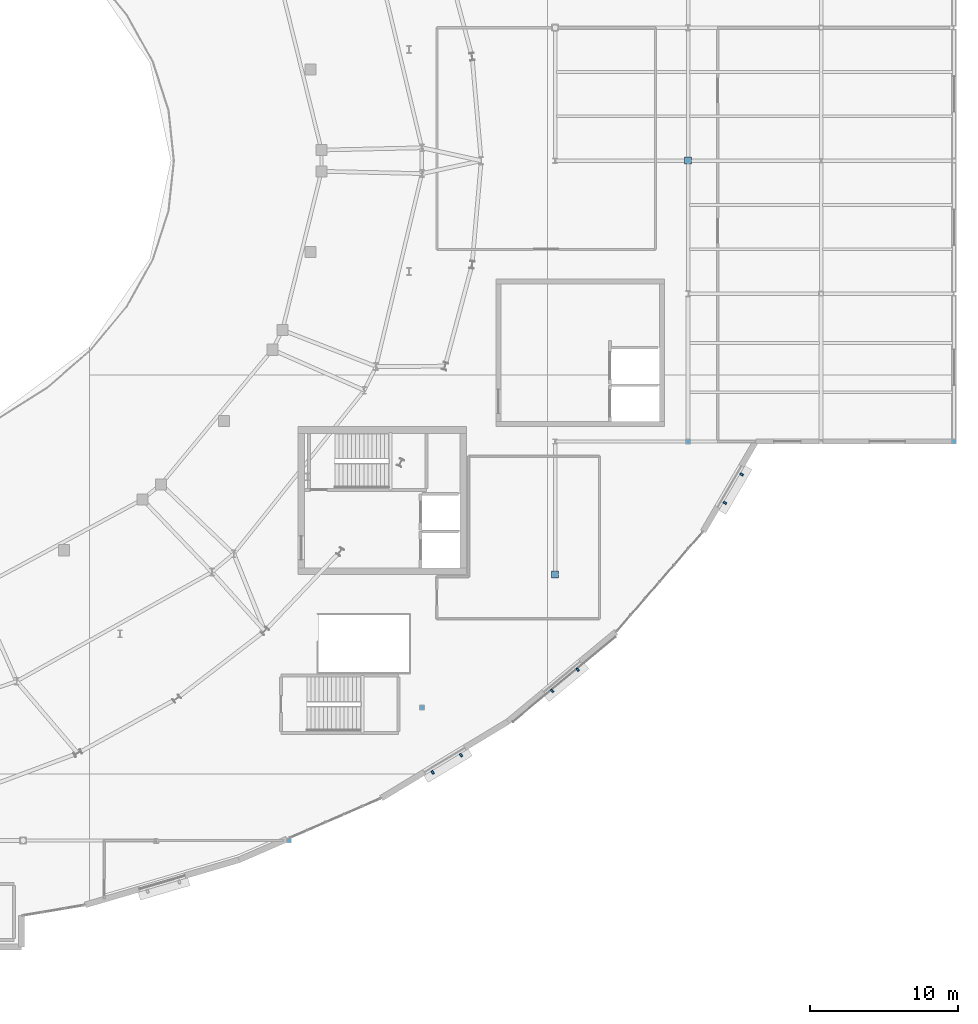
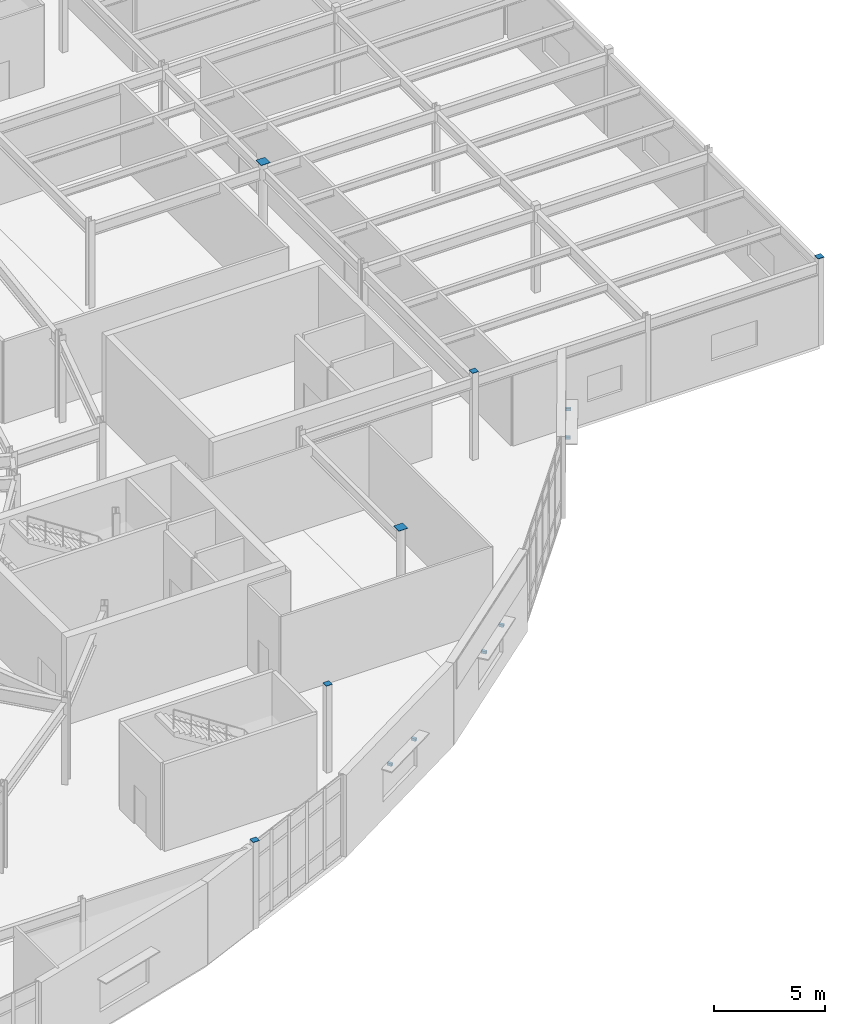
# One storey, part 78 of 86: 12 discrete accessories.
"""IFC4 building model written with IfcOpenShell, lengths in metres."""

from ifc_helpers import new_model, si_unit, direction, frame, origin, origin_2d, place, context, subcontext, project, spatial, rectangle, extrude, material, type_object, element, save


model = new_model("IFC4")

# Units and contexts
model_context = context("Model", 3, precision=1e-05, world=origin(), true_north=direction((0.0, 1.0)))
body_context = subcontext(model_context, "Body", "Model", "MODEL_VIEW")
ifc_project = project(units=[si_unit("LENGTHUNIT", "METRE"), si_unit("AREAUNIT", "SQUARE_METRE"), si_unit("VOLUMEUNIT", "CUBIC_METRE"), si_unit("PLANEANGLEUNIT", "RADIAN"), si_unit("MASSUNIT", "GRAM", prefix="KILO")], contexts=[model_context])

# Site, building, storey
site_placement = place(None, origin())
site = spatial("IfcSite", under=ifc_project, at=site_placement, CompositionType="ELEMENT")
building_placement = place(site_placement, origin())
building = spatial("IfcBuilding", under=site, at=building_placement, Name="Glasvene Arena", CompositionType="ELEMENT")
storey_placement = place(building_placement, frame((0.0, 0.0, 5.39990234375)))
storey = spatial("IfcBuildingStorey", under=building, at=storey_placement, Name="L01", CompositionType="ELEMENT", Elevation=5.39990234375)

# Discrete accessories
ifc_material_1 = material(Name="Steel S355J2", Category="steel")
discrete_accessory_type_1 = type_object("IfcDiscreteAccessoryType", Name="ACC-CAP-CHS420", PredefinedType="USERDEFINED", material=ifc_material_1)
for number, where, z_axis, x_axis, name in (
    (1, (147.0, 45.0, 4.798095703125), (0.0, 0.0, 1.0), (1.0, 0.0, 0.0), "Hollow column top cap plate 17-6 L01"),
    (2, (156.0, 73.0, 4.798095703125), (0.0, 0.0, 1.0), (1.0, 0.0, 0.0), "Hollow column top cap plate 18-9 L01"),
):
    element("IfcDiscreteAccessory", number, at=place(storey_placement, frame(where, z_axis=z_axis, x_axis=x_axis)), inside=storey, type_object=discrete_accessory_type_1, Name=name, ObjectType="CAP PLATE", PredefinedType="USERDEFINED", context=body_context, shape_type="SweptSolid", body=[
        extrude(rectangle(XDim=0.47998046875, YDim=0.47998046875, at=origin_2d()), origin(), (0.0, 0.0, 1.0), 0.02001953125),
    ])
discrete_accessory_type_2 = type_object("IfcDiscreteAccessoryType", Name="ACC-CAP-SHS320", PredefinedType="USERDEFINED", material=ifc_material_1)
for number, where, z_axis, x_axis, name in (
    (3, (129.0, 27.0, 4.798095703125), (0.0, 0.0, 1.0), (1.0, 0.0, 0.0), "Hollow column top cap plate 15-4 L01"),
    (4, (138.0, 36.0, 4.798095703125), (0.0, 0.0, 1.0), (1.0, 0.0, 0.0), "Hollow column top cap plate 16-5 L01"),
    (5, (156.0, 54.0, 4.798095703125), (0.0, 0.0, 1.0), (1.0, 0.0, 0.0), "Hollow column top cap plate 18-7 L01"),
    (6, (174.0, 54.0, 4.798095703125), (0.0, 0.0, 1.0), (1.0, 0.0, 0.0), "Hollow column top cap plate 20-7 L01"),
):
    element("IfcDiscreteAccessory", number, at=place(storey_placement, frame(where, z_axis=z_axis, x_axis=x_axis)), inside=storey, type_object=discrete_accessory_type_2, Name=name, ObjectType="CAP PLATE", PredefinedType="USERDEFINED", context=body_context, shape_type="SweptSolid", body=[
        extrude(rectangle(XDim=0.320068359375, YDim=0.320068359375, at=origin_2d()), origin(), (0.0, 0.0, 1.0), 0.02001953125),
    ])
ifc_material_2 = material(Name="Warm bronze architectural aluminium", Category="aluminium")
discrete_accessory_type_3 = type_object("IfcDiscreteAccessoryType", Name="ACC-FIN-BRK", PredefinedType="BRACKET", material=ifc_material_2)
for number, where, z_axis, x_axis, name in (
    (7, (159.624267578125, 51.7724609375, 2.72021484375), (0.0, 0.0, 1.0), (-0.50513026462, -0.863043113503, 0.0), "Brise-soleil wall bracket BK-018"),
    (8, (158.492919921875, 49.839111328125, 2.72021484375), (0.0, 0.0, 1.0), (-0.50513026462, -0.863043113503, 0.0), "Brise-soleil wall bracket BK-018"),
    (9, (148.5205078125, 38.56103515625, 2.72021484375), (0.0, 0.0, 1.0), (-0.769956692089, -0.638096146601, 0.0), "Brise-soleil wall bracket BK-019"),
    (10, (146.7958984375, 37.131591796875, 2.72021484375), (0.0, 0.0, 1.0), (-0.769956692089, -0.638096146601, 0.0), "Brise-soleil wall bracket BK-019"),
    (11, (140.6328125, 32.775146484375, 2.72021484375), (0.0, 0.0, 1.0), (-0.855815998251, -0.517280366086, 0.0), "Brise-soleil wall bracket BK-020"),
    (12, (138.7158203125, 31.616455078125, 2.72021484375), (0.0, 0.0, 1.0), (-0.855815998251, -0.517280366086, 0.0), "Brise-soleil wall bracket BK-020"),
):
    element("IfcDiscreteAccessory", number, at=place(storey_placement, frame(where, z_axis=z_axis, x_axis=x_axis)), inside=storey, type_object=discrete_accessory_type_3, Name=name, PredefinedType="BRACKET", context=body_context, shape_type="SweptSolid", body=[
        extrude(rectangle(XDim=0.139892578125, YDim=0.239990234375, at=origin_2d()), origin(), (0.0, 0.0, 1.0), 0.139892578125),
    ])

save(model, "model.ifc")
